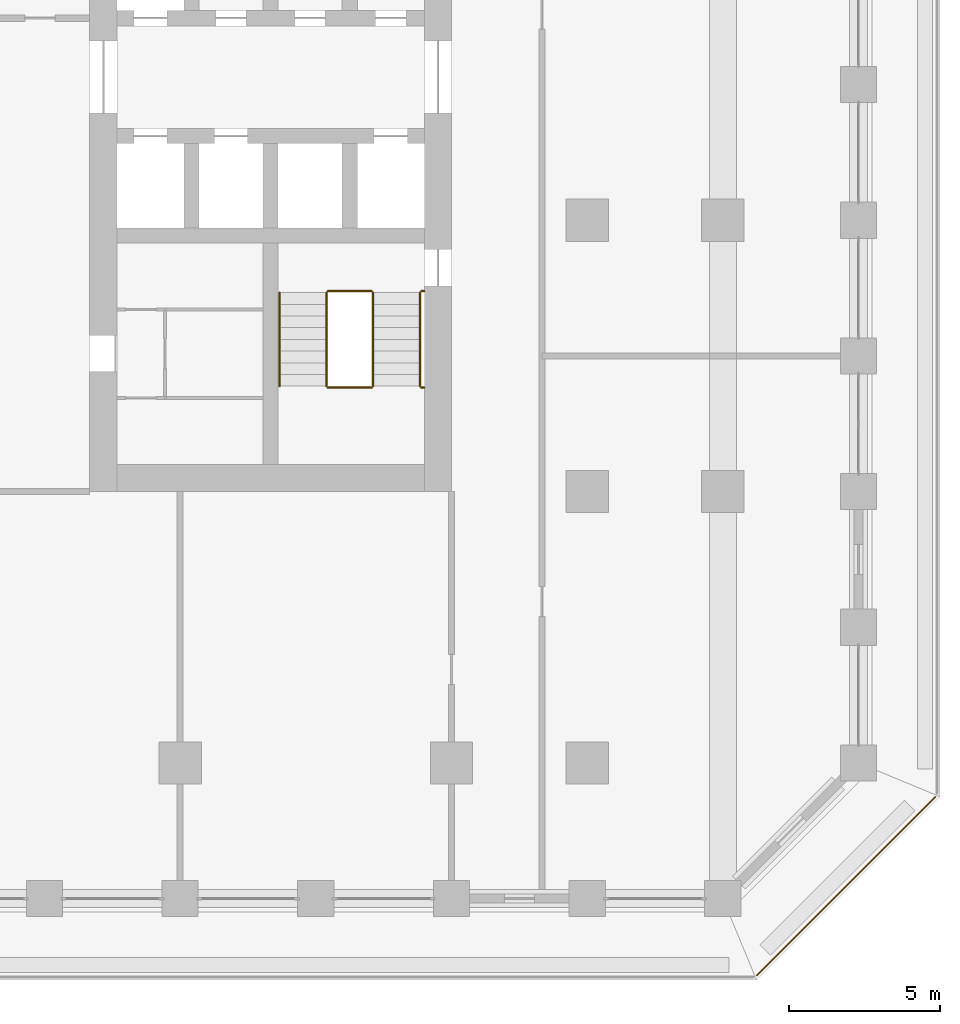
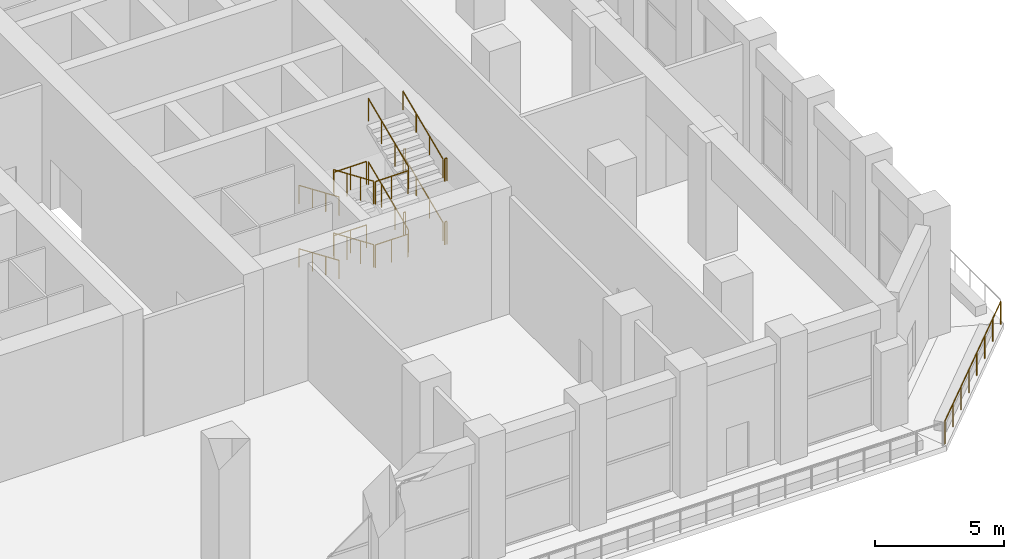
# One storey, part 19 of 24: 17 railings.
"""IFC4 building model written with IfcOpenShell, lengths in metres."""

import ifcopenshell
import ifcopenshell.guid

model = None  # the IFC model being written
_history = None  # IfcOwnerHistory: only IFC2X3 demands one
_inside = {}  # id of a spatial element -> (the spatial element, [elements in it])
_under = {}  # id of a project, library or spatial element -> (it, [spatial elements below it])
_declared = {}  # id of a project -> (the project, [libraries it declares])
_typed = {}  # id of a type object -> (the type object, [elements of that type])
_made_of = {}  # id of a material, layer set ... -> (it, [elements and type objects made of it])


def new_model(schema):
    """Start an empty IFC model of exactly this schema.

    Asked for "IFC4X3", IfcOpenShell would pick the latest addendum, in which some entities
    have other attributes; the version numbers below select the first issue.
    IFC2X3 requires an IfcOwnerHistory on every rooted entity: one is made here for all.
    """
    global model, _history
    if schema == "IFC4X3":
        model = ifcopenshell.file(schema_version=(4, 3, 0, 0))
    else:
        model = ifcopenshell.file(schema=schema)
    _inside.clear()
    _under.clear()
    _declared.clear()
    _typed.clear()
    _made_of.clear()
    _history = None
    if model.schema == "IFC2X3":
        org = make("IfcOrganization", Name="unknown")
        user = make(
            "IfcPersonAndOrganization",
            ThePerson=make("IfcPerson", FamilyName="unknown"),
            TheOrganization=org,
        )
        app = make(
            "IfcApplication",
            ApplicationDeveloper=org,
            Version="unknown",
            ApplicationFullName="unknown",
            ApplicationIdentifier="unknown",
        )
        _history = make(
            "IfcOwnerHistory",
            OwningUser=user,
            OwningApplication=app,
            ChangeAction="ADDED",
            CreationDate=0,
        )
    return model


def make(cls, **values):
    """One entity of the class cls with the attributes given. An attribute that is None is left unset."""
    return model.create_entity(
        cls, **{name: value for name, value in values.items() if value is not None}
    )


def rooted(cls, **values):
    """An entity with a GlobalId (a new one), such as an element, a storey or a relation."""
    return make(cls, GlobalId=ifcopenshell.guid.new(), OwnerHistory=_history, **values)


def si_unit(unit_type, name, prefix=None):
    """IfcSIUnit, for example si_unit("LENGTHUNIT", "METRE", prefix="MILLI")."""
    return make("IfcSIUnit", UnitType=unit_type, Prefix=prefix, Name=name)


def assignment(units):
    """IfcUnitAssignment: the units of a project."""
    return None if units is None else make("IfcUnitAssignment", Units=units)


def point(xyz):
    """IfcCartesianPoint."""
    return None if xyz is None else make("IfcCartesianPoint", Coordinates=xyz)


def direction(xyz):
    """IfcDirection."""
    return None if xyz is None else make("IfcDirection", DirectionRatios=xyz)


def frame(location, z_axis=None, x_axis=None):
    """IfcAxis2Placement3D, a coordinate frame: its origin and axes. An axis left out is left unset."""
    return make(
        "IfcAxis2Placement3D",
        Location=point(location),
        Axis=direction(z_axis),
        RefDirection=direction(x_axis),
    )


def frame_2d(location, x_axis=None):
    """IfcAxis2Placement2D, a coordinate frame in the plane: its origin and x axis."""
    return make(
        "IfcAxis2Placement2D", Location=point(location), RefDirection=direction(x_axis)
    )


def origin():
    """The frame at (0, 0, 0) with its axes left unset."""
    return frame((0.0, 0.0, 0.0))


def origin_2d():
    """The frame at (0, 0) in the plane with its x axis left unset."""
    return frame_2d((0.0, 0.0))


def place(relative_to, where):
    """IfcLocalPlacement: puts the frame where relative to a parent placement (None: the world)."""
    return make(
        "IfcLocalPlacement", PlacementRelTo=relative_to, RelativePlacement=where
    )


def context(
    kind, dimensions, precision=None, world=None, true_north=None, identifier=None
):
    """IfcGeometricRepresentationContext, for example the 3D "Model" context."""
    return make(
        "IfcGeometricRepresentationContext",
        ContextIdentifier=identifier,
        ContextType=kind,
        CoordinateSpaceDimension=dimensions,
        Precision=precision,
        WorldCoordinateSystem=world,
        TrueNorth=true_north,
    )


def subcontext(parent, identifier, kind, view, scale=None):
    """IfcGeometricRepresentationSubContext, for example "Body" below "Model"."""
    return make(
        "IfcGeometricRepresentationSubContext",
        ContextIdentifier=identifier,
        ContextType=kind,
        ParentContext=parent,
        TargetScale=scale,
        TargetView=view,
    )


def project(units=None, contexts=None):
    """IfcProject with its units and contexts."""
    return rooted(
        "IfcProject",
        Name="project",
        RepresentationContexts=contexts,
        UnitsInContext=assignment(units),
    )


def spatial(cls, under=None, at=None, **own):
    """A site, building, storey or space (cls), placed at a placement, below another one or the project."""
    s = rooted(cls, ObjectPlacement=at, **own)
    if under is not None:
        _under.setdefault(under.id(), (under, []))[1].append(s)
    return s


def profile(cls, at=None, kind="AREA", **sizes):
    """A parametric profile (cls). Its sizes go by their IFC names, for example OverallWidth=200.0."""
    return make(cls, ProfileType=kind, Position=at, **sizes)


def circle(**sizes):
    """IfcCircleProfileDef."""
    return profile("IfcCircleProfileDef", **sizes)


def extrude(swept, where, along, depth):
    """IfcExtrudedAreaSolid: the profile swept, set in the frame where, extruded along a direction by depth."""
    return make(
        "IfcExtrudedAreaSolid",
        SweptArea=swept,
        Position=where,
        ExtrudedDirection=direction(along),
        Depth=depth,
    )


def shape(context_of_items, identifier, shape_type, items):
    """IfcShapeRepresentation: the items that make up one representation, for example the "Body"."""
    return make(
        "IfcShapeRepresentation",
        ContextOfItems=context_of_items,
        RepresentationIdentifier=identifier,
        RepresentationType=shape_type,
        Items=items,
    )


def material(Name=None, Category=None):
    """IfcMaterial."""
    return make("IfcMaterial", Name=Name, Category=Category)


def made_of(thing, what):
    """Note that an element or type object is made of a material, layer set ...; save() writes the relation."""
    if what is not None:
        _made_of.setdefault(what.id(), (what, []))[1].append(thing)
    return thing


def type_object(cls, material=None, **own):
    """A type object (cls), such as IfcWallType, which elements share."""
    return made_of(rooted(cls, **own), material)


def element(
    cls,
    number,
    at=None,
    inside=None,
    cuts=None,
    type_object=None,
    material=None,
    context=None,
    identifier="Body",
    shape_type=None,
    held_by="IfcProductDefinitionShape",
    body=None,
    shapes=None,
    **own,
):
    """One element of the class cls, such as IfcWall. Its Tag is "e" and its number.

    at: its placement. inside: the storey or other place that contains it. cuts: it is an
    opening in that element (IfcRelVoidsElement). A single representation is given by context,
    identifier, shape_type and body (its items); several are given by shapes. held_by: the class
    of the entity that holds the representations. save() writes the other relations.
    """
    e = rooted(cls, Tag="e%d" % number, ObjectPlacement=at, **own)
    if body is not None:
        shapes = [shape(context, identifier, shape_type, body)]
    if shapes is not None:
        e.Representation = make(held_by, Representations=shapes)
    if inside is not None:
        _inside.setdefault(inside.id(), (inside, []))[1].append(e)
    if cuts is not None:
        rooted(
            "IfcRelVoidsElement", RelatingBuildingElement=cuts, RelatedOpeningElement=e
        )
    if type_object is not None:
        _typed.setdefault(type_object.id(), (type_object, []))[1].append(e)
    return made_of(e, material)


def aggregate(whole, parts):
    """IfcRelAggregates: a whole, such as a stair, and the parts it consists of."""
    return rooted("IfcRelAggregates", RelatingObject=whole, RelatedObjects=parts)


def save(model, path):
    """Write the relations noted so far, then the file.

    IfcRelAggregates (storeys below a building ...), IfcRelContainedInSpatialStructure (elements
    in a storey), IfcRelDefinesByType, IfcRelAssociatesMaterial and IfcRelDeclares: one each for
    every whole, place, type object, material and project.
    """
    for whole, parts in _under.values():
        aggregate(whole, parts)
    for where, things in _inside.values():
        rooted(
            "IfcRelContainedInSpatialStructure",
            RelatedElements=things,
            RelatingStructure=where,
        )
    for kind, things in _typed.values():
        rooted("IfcRelDefinesByType", RelatedObjects=things, RelatingType=kind)
    for what, things in _made_of.values():
        rooted("IfcRelAssociatesMaterial", RelatedObjects=things, RelatingMaterial=what)
    for by, libraries in _declared.values():
        rooted("IfcRelDeclares", RelatingContext=by, RelatedDefinitions=libraries)
    model.write(path)


model = new_model("IFC4")

# Units and contexts
model_context = context("Model", 3, precision=1e-05, world=origin(), true_north=direction((0.0, 1.0)))
body_context = subcontext(model_context, "Body", "Model", "MODEL_VIEW")
ifc_project = project(units=[si_unit("LENGTHUNIT", "METRE"), si_unit("AREAUNIT", "SQUARE_METRE"), si_unit("VOLUMEUNIT", "CUBIC_METRE"), si_unit("PLANEANGLEUNIT", "RADIAN"), si_unit("MASSUNIT", "GRAM", prefix="KILO")], contexts=[model_context])

# Site, building, storey
site_placement = place(None, origin())
site = spatial("IfcSite", under=ifc_project, at=site_placement, CompositionType="ELEMENT")
building_placement = place(site_placement, origin())
building = spatial("IfcBuilding", under=site, at=building_placement, Name="Corbel Stack Research Tower", CompositionType="ELEMENT")
storey_placement = place(building_placement, frame((0.0, 0.0, 110.699951171875)))
storey = spatial("IfcBuildingStorey", under=building, at=storey_placement, Name="L25", CompositionType="ELEMENT", Elevation=110.699951171875)

# Railings
ifc_material_1 = material(Name="Steel S355", Category="steel")
railing_type_1 = type_object("IfcRailingType", Name="Stair guard 1100", PredefinedType="GUARDRAIL", material=ifc_material_1)
railing_1_placement = place(storey_placement, frame((13.85009765625, -2.39990234375, 0.166748046875)))
element("IfcRailing", 1, at=railing_1_placement, inside=storey, type_object=railing_type_1, Name="L25 ST-E1 stair guard 1", PredefinedType="GUARDRAIL", context=body_context, shape_type="SweptSolid", body=[
    extrude(circle(Radius=0.02392578125, at=origin_2d()), frame((0.0, 0.0, 1.076171875), z_axis=(0.0, -0.918826996994, 0.394660549834), x_axis=(1.0, 0.0, 0.0)), (0.0, 0.0, 1.0), 3.378173828125),
    extrude(circle(Radius=0.02099609375, at=origin_2d()), origin(), (0.0, 0.0, 1.0), 1.052001953125),
    extrude(circle(Radius=0.02099609375, at=origin_2d()), frame((0.0, -1.03466796875, 0.4443359375)), (0.0, 0.0, 1.0), 1.052001953125),
    extrude(circle(Radius=0.02099609375, at=origin_2d()), frame((0.0, -2.0693359375, 0.888916015625)), (0.0, 0.0, 1.0), 1.052001953125),
    extrude(circle(Radius=0.02099609375, at=origin_2d()), frame((0.0, -3.10400390625, 1.333251953125)), (0.0, 0.0, 1.0), 1.052001953125),
])
railing_2_placement = place(storey_placement, frame((13.89990234375, -5.553955078125, 1.5)))
element("IfcRailing", 2, at=railing_2_placement, inside=storey, type_object=railing_type_1, Name="L25 ST-E1 stair guard 2", PredefinedType="GUARDRAIL", context=body_context, shape_type="SweptSolid", body=[
    extrude(circle(Radius=0.02392578125, at=origin_2d()), frame((0.0, 0.0, 1.076171875), z_axis=(1.0, 0.0, 0.0), x_axis=(0.0, 1.0, 0.0)), (0.0, 0.0, 1.0), 1.4501953125),
    extrude(circle(Radius=0.02099609375, at=origin_2d()), origin(), (0.0, 0.0, 1.0), 1.052001953125),
    extrude(circle(Radius=0.02099609375, at=origin_2d()), frame((0.72509765625, 0.0, 0.0)), (0.0, 0.0, 1.0), 1.052001953125),
    extrude(circle(Radius=0.02099609375, at=origin_2d()), frame((1.4501953125, 0.0, 0.0)), (0.0, 0.0, 1.0), 1.052001953125),
])
railing_3_placement = place(storey_placement, frame((17.0, -5.553955078125, 1.5)))
element("IfcRailing", 3, at=railing_3_placement, inside=storey, type_object=railing_type_1, Name="L25 ST-E1 stair guard 3", PredefinedType="GUARDRAIL", context=body_context, shape_type="SweptSolid", body=[
    extrude(circle(Radius=0.02392578125, at=origin_2d()), frame((0.0, 0.0, 1.076171875), z_axis=(1.0, 0.0, 0.0), x_axis=(0.0, 1.0, 0.0)), (0.0, 0.0, 1.0), 0.10009765625),
    extrude(circle(Radius=0.02099609375, at=origin_2d()), origin(), (0.0, 0.0, 1.0), 1.052001953125),
    extrude(circle(Radius=0.02099609375, at=origin_2d()), frame((0.10009765625, 0.0, 0.0)), (0.0, 0.0, 1.0), 1.052001953125),
])
railing_4_placement = place(storey_placement, frame((15.39990234375, -5.50390625, 1.666748046875)))
element("IfcRailing", 4, at=railing_4_placement, inside=storey, type_object=railing_type_1, Name="L25 ST-E1 stair guard 4", PredefinedType="GUARDRAIL", context=body_context, shape_type="SweptSolid", body=[
    extrude(circle(Radius=0.02392578125, at=origin_2d()), frame((0.0, 0.0, 1.076171875), z_axis=(0.0, 0.918826996994, 0.394660549834), x_axis=(-1.0, 0.0, 0.0)), (0.0, 0.0, 1.0), 3.378173828125),
    extrude(circle(Radius=0.02099609375, at=origin_2d()), origin(), (0.0, 0.0, 1.0), 1.052001953125),
    extrude(circle(Radius=0.02099609375, at=origin_2d()), frame((0.0, 1.03466796875, 0.4443359375)), (0.0, 0.0, 1.0), 1.052001953125),
    extrude(circle(Radius=0.02099609375, at=origin_2d()), frame((0.0, 2.0693359375, 0.888916015625)), (0.0, 0.0, 1.0), 1.052001953125),
    extrude(circle(Radius=0.02099609375, at=origin_2d()), frame((0.0, 3.10400390625, 1.333251953125)), (0.0, 0.0, 1.0), 1.052001953125),
])
railing_5_placement = place(storey_placement, frame((13.89990234375, -2.35009765625, 3.0)))
element("IfcRailing", 5, at=railing_5_placement, inside=storey, type_object=railing_type_1, Name="L25 ST-E1 stair guard 5", PredefinedType="GUARDRAIL", context=body_context, shape_type="SweptSolid", body=[
    extrude(circle(Radius=0.02392578125, at=origin_2d()), frame((0.0, 0.0, 1.076171875), z_axis=(1.0, 0.0, 0.0), x_axis=(0.0, 1.0, 0.0)), (0.0, 0.0, 1.0), 1.4501953125),
    extrude(circle(Radius=0.02099609375, at=origin_2d()), origin(), (0.0, 0.0, 1.0), 1.052001953125),
    extrude(circle(Radius=0.02099609375, at=origin_2d()), frame((0.72509765625, 0.0, 0.0)), (0.0, 0.0, 1.0), 1.052001953125),
    extrude(circle(Radius=0.02099609375, at=origin_2d()), frame((1.4501953125, 0.0, 0.0)), (0.0, 0.0, 1.0), 1.052001953125),
])
railing_6_placement = place(storey_placement, frame((17.0, -2.35009765625, 3.0)))
element("IfcRailing", 6, at=railing_6_placement, inside=storey, type_object=railing_type_1, Name="L25 ST-E1 stair guard 6", PredefinedType="GUARDRAIL", context=body_context, shape_type="SweptSolid", body=[
    extrude(circle(Radius=0.02392578125, at=origin_2d()), frame((0.0, 0.0, 1.076171875), z_axis=(1.0, 0.0, 0.0), x_axis=(0.0, 1.0, 0.0)), (0.0, 0.0, 1.0), 0.10009765625),
    extrude(circle(Radius=0.02099609375, at=origin_2d()), origin(), (0.0, 0.0, 1.0), 1.052001953125),
    extrude(circle(Radius=0.02099609375, at=origin_2d()), frame((0.10009765625, 0.0, 0.0)), (0.0, 0.0, 1.0), 1.052001953125),
])
railing_7_placement = place(storey_placement, frame((13.85009765625, -2.39990234375, 3.166748046875)))
element("IfcRailing", 7, at=railing_7_placement, inside=storey, type_object=railing_type_1, Name="L25 ST-E1 stair guard 7", PredefinedType="GUARDRAIL", context=body_context, shape_type="SweptSolid", body=[
    extrude(circle(Radius=0.02392578125, at=origin_2d()), frame((0.0, 0.0, 1.076171875), z_axis=(0.0, -0.918826996994, 0.394660549834), x_axis=(1.0, 0.0, 0.0)), (0.0, 0.0, 1.0), 3.378173828125),
    extrude(circle(Radius=0.02099609375, at=origin_2d()), origin(), (0.0, 0.0, 1.0), 1.052001953125),
    extrude(circle(Radius=0.02099609375, at=origin_2d()), frame((0.0, -1.03466796875, 0.4443359375)), (0.0, 0.0, 1.0), 1.052001953125),
    extrude(circle(Radius=0.02099609375, at=origin_2d()), frame((0.0, -2.0693359375, 0.888916015625)), (0.0, 0.0, 1.0), 1.052001953125),
    extrude(circle(Radius=0.02099609375, at=origin_2d()), frame((0.0, -3.10400390625, 1.333251953125)), (0.0, 0.0, 1.0), 1.052001953125),
])
railing_8_placement = place(storey_placement, frame((13.89990234375, -5.553955078125, 4.5)))
element("IfcRailing", 8, at=railing_8_placement, inside=storey, type_object=railing_type_1, Name="L25 ST-E1 stair guard 8", PredefinedType="GUARDRAIL", context=body_context, shape_type="SweptSolid", body=[
    extrude(circle(Radius=0.02392578125, at=origin_2d()), frame((0.0, 0.0, 1.076171875), z_axis=(1.0, 0.0, 0.0), x_axis=(0.0, 1.0, 0.0)), (0.0, 0.0, 1.0), 1.4501953125),
    extrude(circle(Radius=0.02099609375, at=origin_2d()), origin(), (0.0, 0.0, 1.0), 1.052001953125),
    extrude(circle(Radius=0.02099609375, at=origin_2d()), frame((0.72509765625, 0.0, 0.0)), (0.0, 0.0, 1.0), 1.052001953125),
    extrude(circle(Radius=0.02099609375, at=origin_2d()), frame((1.4501953125, 0.0, 0.0)), (0.0, 0.0, 1.0), 1.052001953125),
])
railing_9_placement = place(storey_placement, frame((17.0, -5.553955078125, 4.5)))
element("IfcRailing", 9, at=railing_9_placement, inside=storey, type_object=railing_type_1, Name="L25 ST-E1 stair guard 9", PredefinedType="GUARDRAIL", context=body_context, shape_type="SweptSolid", body=[
    extrude(circle(Radius=0.02392578125, at=origin_2d()), frame((0.0, 0.0, 1.076171875), z_axis=(1.0, 0.0, 0.0), x_axis=(0.0, 1.0, 0.0)), (0.0, 0.0, 1.0), 0.10009765625),
    extrude(circle(Radius=0.02099609375, at=origin_2d()), origin(), (0.0, 0.0, 1.0), 1.052001953125),
    extrude(circle(Radius=0.02099609375, at=origin_2d()), frame((0.10009765625, 0.0, 0.0)), (0.0, 0.0, 1.0), 1.052001953125),
])
railing_10_placement = place(storey_placement, frame((15.39990234375, -5.50390625, 4.666748046875)))
element("IfcRailing", 10, at=railing_10_placement, inside=storey, type_object=railing_type_1, Name="L25 ST-E1 stair guard 10", PredefinedType="GUARDRAIL", context=body_context, shape_type="SweptSolid", body=[
    extrude(circle(Radius=0.02392578125, at=origin_2d()), frame((0.0, 0.0, 1.076171875), z_axis=(0.0, 0.918826996994, 0.394660549834), x_axis=(-1.0, 0.0, 0.0)), (0.0, 0.0, 1.0), 3.378173828125),
    extrude(circle(Radius=0.02099609375, at=origin_2d()), origin(), (0.0, 0.0, 1.0), 1.052001953125),
    extrude(circle(Radius=0.02099609375, at=origin_2d()), frame((0.0, 1.03466796875, 0.4443359375)), (0.0, 0.0, 1.0), 1.052001953125),
    extrude(circle(Radius=0.02099609375, at=origin_2d()), frame((0.0, 2.0693359375, 0.888916015625)), (0.0, 0.0, 1.0), 1.052001953125),
    extrude(circle(Radius=0.02099609375, at=origin_2d()), frame((0.0, 3.10400390625, 1.333251953125)), (0.0, 0.0, 1.0), 1.052001953125),
])
railing_11_placement = place(storey_placement, frame((13.89990234375, -2.35009765625, 0.0)))
element("IfcRailing", 11, at=railing_11_placement, inside=storey, type_object=railing_type_1, Name="L25 ST-E1 stair guard 11", PredefinedType="GUARDRAIL", context=body_context, shape_type="SweptSolid", body=[
    extrude(circle(Radius=0.02392578125, at=origin_2d()), frame((0.0, 0.0, 1.076171875), z_axis=(1.0, 0.0, 0.0), x_axis=(0.0, 1.0, 0.0)), (0.0, 0.0, 1.0), 1.4501953125),
    extrude(circle(Radius=0.02099609375, at=origin_2d()), origin(), (0.0, 0.0, 1.0), 1.052001953125),
    extrude(circle(Radius=0.02099609375, at=origin_2d()), frame((0.72509765625, 0.0, 0.0)), (0.0, 0.0, 1.0), 1.052001953125),
    extrude(circle(Radius=0.02099609375, at=origin_2d()), frame((1.4501953125, 0.0, 0.0)), (0.0, 0.0, 1.0), 1.052001953125),
])
railing_12_placement = place(storey_placement, frame((17.0, -2.35009765625, 0.0)))
element("IfcRailing", 12, at=railing_12_placement, inside=storey, type_object=railing_type_1, Name="L25 ST-E1 stair guard 12", PredefinedType="GUARDRAIL", context=body_context, shape_type="SweptSolid", body=[
    extrude(circle(Radius=0.02392578125, at=origin_2d()), frame((0.0, 0.0, 1.076171875), z_axis=(1.0, 0.0, 0.0), x_axis=(0.0, 1.0, 0.0)), (0.0, 0.0, 1.0), 0.10009765625),
    extrude(circle(Radius=0.02099609375, at=origin_2d()), origin(), (0.0, 0.0, 1.0), 1.052001953125),
    extrude(circle(Radius=0.02099609375, at=origin_2d()), frame((0.10009765625, 0.0, 0.0)), (0.0, 0.0, 1.0), 1.052001953125),
])
ifc_material_2 = material(Name="Steel S355", Category="steel")
railing_type_2 = type_object("IfcRailingType", Name="Stair handrail 900", PredefinedType="HANDRAIL", material=ifc_material_2)
railing_13_placement = place(storey_placement, frame((12.300048828125, -2.39990234375, 0.166748046875)))
element("IfcRailing", 13, at=railing_13_placement, inside=storey, type_object=railing_type_2, Name="L25 ST-E1 stair handrail 1", PredefinedType="HANDRAIL", context=body_context, shape_type="SweptSolid", body=[
    extrude(circle(Radius=0.02392578125, at=origin_2d()), frame((0.0, 0.0, 0.8759765625), z_axis=(0.0, -0.918826996994, 0.394660549834), x_axis=(1.0, 0.0, 0.0)), (0.0, 0.0, 1.0), 3.378173828125),
    extrude(circle(Radius=0.02099609375, at=origin_2d()), origin(), (0.0, 0.0, 1.0), 0.851806640625),
    extrude(circle(Radius=0.02099609375, at=origin_2d()), frame((0.0, -1.03466796875, 0.4443359375)), (0.0, 0.0, 1.0), 0.851806640625),
    extrude(circle(Radius=0.02099609375, at=origin_2d()), frame((0.0, -2.0693359375, 0.888916015625)), (0.0, 0.0, 1.0), 0.851806640625),
    extrude(circle(Radius=0.02099609375, at=origin_2d()), frame((0.0, -3.10400390625, 1.333251953125)), (0.0, 0.0, 1.0), 0.851806640625),
])
railing_14_placement = place(storey_placement, frame((16.949951171875, -5.50390625, 1.666748046875)))
element("IfcRailing", 14, at=railing_14_placement, inside=storey, type_object=railing_type_2, Name="L25 ST-E1 stair handrail 2", PredefinedType="HANDRAIL", context=body_context, shape_type="SweptSolid", body=[
    extrude(circle(Radius=0.02392578125, at=origin_2d()), frame((0.0, 0.0, 0.8759765625), z_axis=(0.0, 0.918826996994, 0.394660549834), x_axis=(-1.0, 0.0, 0.0)), (0.0, 0.0, 1.0), 3.378173828125),
    extrude(circle(Radius=0.02099609375, at=origin_2d()), origin(), (0.0, 0.0, 1.0), 0.851806640625),
    extrude(circle(Radius=0.02099609375, at=origin_2d()), frame((0.0, 1.03466796875, 0.4443359375)), (0.0, 0.0, 1.0), 0.851806640625),
    extrude(circle(Radius=0.02099609375, at=origin_2d()), frame((0.0, 2.0693359375, 0.888916015625)), (0.0, 0.0, 1.0), 0.851806640625),
    extrude(circle(Radius=0.02099609375, at=origin_2d()), frame((0.0, 3.10400390625, 1.333251953125)), (0.0, 0.0, 1.0), 0.851806640625),
])
railing_15_placement = place(storey_placement, frame((12.300048828125, -2.39990234375, 3.166748046875)))
element("IfcRailing", 15, at=railing_15_placement, inside=storey, type_object=railing_type_2, Name="L25 ST-E1 stair handrail 3", PredefinedType="HANDRAIL", context=body_context, shape_type="SweptSolid", body=[
    extrude(circle(Radius=0.02392578125, at=origin_2d()), frame((0.0, 0.0, 0.8759765625), z_axis=(0.0, -0.918826996994, 0.394660549834), x_axis=(1.0, 0.0, 0.0)), (0.0, 0.0, 1.0), 3.378173828125),
    extrude(circle(Radius=0.02099609375, at=origin_2d()), origin(), (0.0, 0.0, 1.0), 0.851806640625),
    extrude(circle(Radius=0.02099609375, at=origin_2d()), frame((0.0, -1.03466796875, 0.4443359375)), (0.0, 0.0, 1.0), 0.851806640625),
    extrude(circle(Radius=0.02099609375, at=origin_2d()), frame((0.0, -2.0693359375, 0.888916015625)), (0.0, 0.0, 1.0), 0.851806640625),
    extrude(circle(Radius=0.02099609375, at=origin_2d()), frame((0.0, -3.10400390625, 1.333251953125)), (0.0, 0.0, 1.0), 0.851806640625),
])
railing_16_placement = place(storey_placement, frame((16.949951171875, -5.50390625, 4.666748046875)))
element("IfcRailing", 16, at=railing_16_placement, inside=storey, type_object=railing_type_2, Name="L25 ST-E1 stair handrail 4", PredefinedType="HANDRAIL", context=body_context, shape_type="SweptSolid", body=[
    extrude(circle(Radius=0.02392578125, at=origin_2d()), frame((0.0, 0.0, 0.8759765625), z_axis=(0.0, 0.918826996994, 0.394660549834), x_axis=(-1.0, 0.0, 0.0)), (0.0, 0.0, 1.0), 3.378173828125),
    extrude(circle(Radius=0.02099609375, at=origin_2d()), origin(), (0.0, 0.0, 1.0), 0.851806640625),
    extrude(circle(Radius=0.02099609375, at=origin_2d()), frame((0.0, 1.03466796875, 0.4443359375)), (0.0, 0.0, 1.0), 0.851806640625),
    extrude(circle(Radius=0.02099609375, at=origin_2d()), frame((0.0, 2.0693359375, 0.888916015625)), (0.0, 0.0, 1.0), 0.851806640625),
    extrude(circle(Radius=0.02099609375, at=origin_2d()), frame((0.0, 3.10400390625, 1.333251953125)), (0.0, 0.0, 1.0), 0.851806640625),
])
ifc_material_3 = material(Name="Powder-coated steel guard", Category="steel")
railing_type_3 = type_object("IfcRailingType", Name="Steel and glass guard 1100", PredefinedType="GUARDRAIL", material=ifc_material_3)
railing_17_placement = place(storey_placement, frame((28.127685546875, -25.04931640625, 0.0)))
element("IfcRailing", 17, at=railing_17_placement, inside=storey, type_object=railing_type_3, Name="Loggia guard L25 SE", PredefinedType="GUARDRAIL", context=body_context, shape_type="SweptSolid", body=[
    extrude(circle(Radius=0.02392578125, at=origin_2d()), frame((0.0, 0.0, 1.076171875), z_axis=(0.707106781187, 0.707106781187, 0.0), x_axis=(-0.707106781187, 0.707106781187, 0.0)), (0.0, 0.0, 1.0), 8.37451171875),
    extrude(circle(Radius=0.02099609375, at=origin_2d()), origin(), (0.0, 0.0, 1.0), 1.052001953125),
    extrude(circle(Radius=0.02099609375, at=origin_2d()), frame((0.845947265625, 0.845947265625, 0.0)), (0.0, 0.0, 1.0), 1.052001953125),
    extrude(circle(Radius=0.02099609375, at=origin_2d()), frame((1.69189453125, 1.69189453125, 0.0)), (0.0, 0.0, 1.0), 1.052001953125),
    extrude(circle(Radius=0.02099609375, at=origin_2d()), frame((2.537841796875, 2.537841796875, 0.0)), (0.0, 0.0, 1.0), 1.052001953125),
    extrude(circle(Radius=0.02099609375, at=origin_2d()), frame((3.3837890625, 3.3837890625, 0.0)), (0.0, 0.0, 1.0), 1.052001953125),
    extrude(circle(Radius=0.02099609375, at=origin_2d()), frame((4.229736328125, 4.229736328125, 0.0)), (0.0, 0.0, 1.0), 1.052001953125),
    extrude(circle(Radius=0.02099609375, at=origin_2d()), frame((5.07568359375, 5.07568359375, 0.0)), (0.0, 0.0, 1.0), 1.052001953125),
    extrude(circle(Radius=0.02099609375, at=origin_2d()), frame((5.921630859375, 5.921630859375, 0.0)), (0.0, 0.0, 1.0), 1.052001953125),
])

save(model, "model.ifc")
